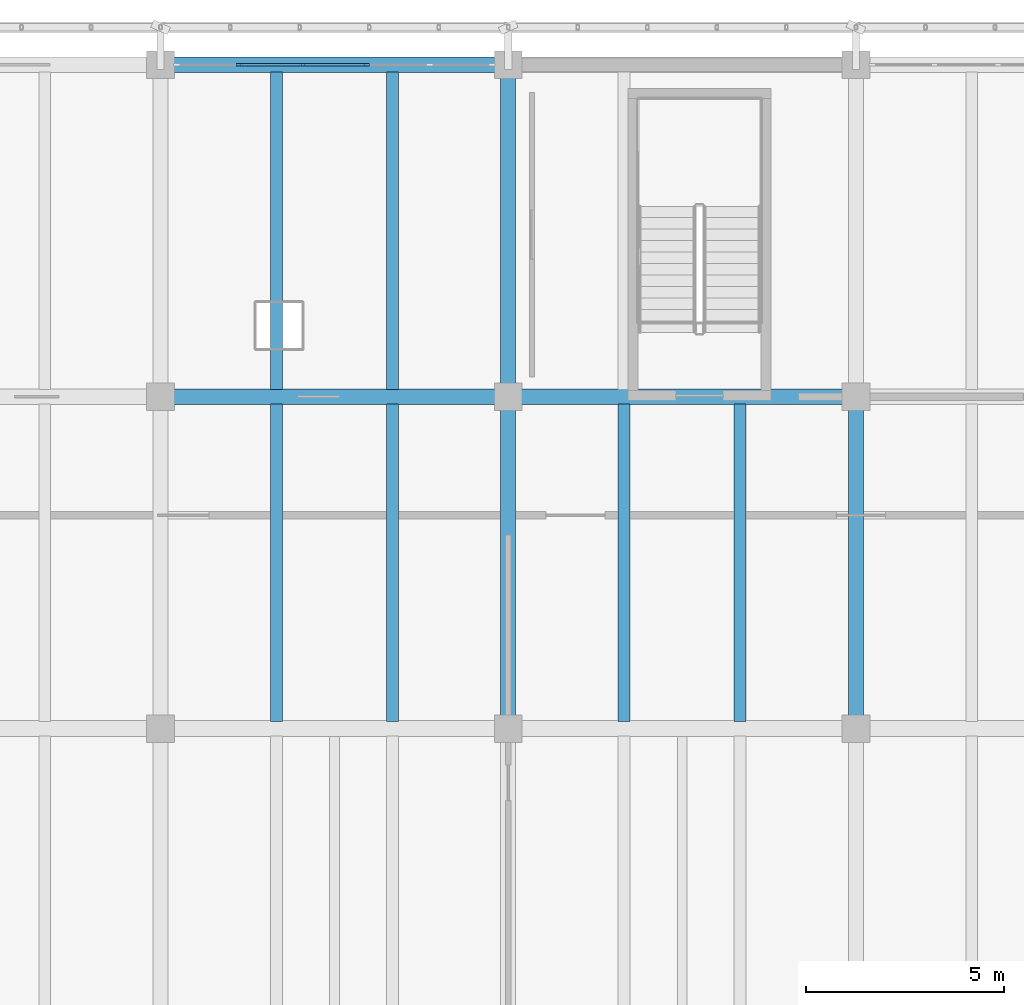
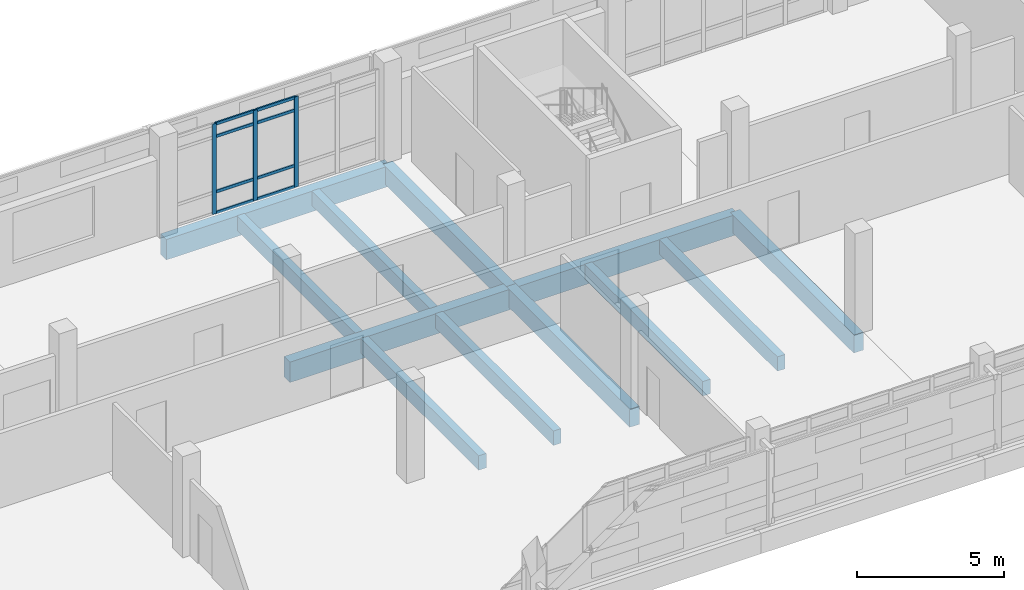
# One storey, part 72 of 137: 12 beams, 11 members, 1 element without a shape of its own.
"""IFC4 building model written with IfcOpenShell, lengths in metres."""

from ifc_helpers import new_model, si_unit, direction, frame, origin, origin_2d, place, context, subcontext, project, spatial, rectangle, extrude, material, material_profile, profile_set, type_object, element, aggregate, save


model = new_model("IFC4")

# Units and contexts
model_context = context("Model", 3, precision=1e-05, world=origin(), true_north=direction((0.0, 1.0)))
body_context = subcontext(model_context, "Body", "Model", "MODEL_VIEW")
ifc_project = project(units=[si_unit("LENGTHUNIT", "METRE"), si_unit("AREAUNIT", "SQUARE_METRE"), si_unit("VOLUMEUNIT", "CUBIC_METRE"), si_unit("PLANEANGLEUNIT", "RADIAN"), si_unit("MASSUNIT", "GRAM", prefix="KILO")], contexts=[model_context])

# Site, building, storey
site_placement = place(None, origin())
site = spatial("IfcSite", under=ifc_project, at=site_placement, CompositionType="ELEMENT")
building_placement = place(site_placement, origin())
building = spatial("IfcBuilding", under=site, at=building_placement, Name="Cinderway Yard Community Centre", CompositionType="ELEMENT")
storey_placement = place(building_placement, frame((0.0, 0.0, 4.800048828125)))
storey = spatial("IfcBuildingStorey", under=building, at=storey_placement, Name="L01", CompositionType="ELEMENT", Elevation=4.800048828125)

# Curtain wall, members
ifc_material_1 = material(Name="Aluminium 6063-T6", Category="aluminium")
curtain_wall_type = type_object("IfcCurtainWallType", Name="ENV-CW-TYPE-27", PredefinedType="USERDEFINED", material=ifc_material_1)
curtain_wall_placement = place(storey_placement, origin())
curtain_wall = element("IfcCurtainWall", 1, at=curtain_wall_placement, inside=storey, type_object=curtain_wall_type, Name="V4 Street Curtain Wall ENV-CW-L01-ST-0132", ObjectType="GLAZED CURTAIN WALL", PredefinedType="USERDEFINED")
ifc_material_profile_1 = material_profile(ifc_material_1, rectangle(XDim=0.06005859375, YDim=0.159912109375, at=origin_2d()), Name="Aluminium 6063-T6")
ifc_profile_set_1 = profile_set([ifc_material_profile_1], Name="Aluminium 6063-T6")
member_type_1 = type_object("IfcMemberType", Name="ENV-CW-MULL-150", PredefinedType="MULLION", material=ifc_profile_set_1)
member_1_placement = place(storey_placement, frame((103.587890625, 115.199951171875, 0.0), z_axis=(0.0, 0.0, 1.0), x_axis=(0.0, 1.0, 0.0)))
member_1 = element("IfcMember", 2, at=member_1_placement, type_object=member_type_1, Name="CW-27 mullion 2", PredefinedType="MULLION", context=body_context, shape_type="SweptSolid", body=[
    extrude(rectangle(XDim=0.06005859375, YDim=0.159912109375, at=origin_2d()), origin(), (0.0, 0.0, 1.0), 3.75),
])
member_2_placement = place(storey_placement, frame((105.196044921875, 115.199951171875, 0.0), z_axis=(0.0, 0.0, 1.0), x_axis=(0.0, 1.0, 0.0)))
member_2 = element("IfcMember", 3, at=member_2_placement, type_object=member_type_1, Name="CW-27 mullion 3", PredefinedType="MULLION", context=body_context, shape_type="SweptSolid", body=[
    extrude(rectangle(XDim=0.06005859375, YDim=0.159912109375, at=origin_2d()), origin(), (0.0, 0.0, 1.0), 3.75),
])
member_3_placement = place(storey_placement, frame((106.803955078125, 115.199951171875, 0.0), z_axis=(0.0, 0.0, 1.0), x_axis=(0.0, 1.0, 0.0)))
member_3 = element("IfcMember", 4, at=member_3_placement, type_object=member_type_1, Name="CW-27 mullion 4", PredefinedType="MULLION", context=body_context, shape_type="SweptSolid", body=[
    extrude(rectangle(XDim=0.06005859375, YDim=0.159912109375, at=origin_2d()), origin(), (0.0, 0.0, 1.0), 3.75),
])
ifc_material_profile_2 = material_profile(ifc_material_1, rectangle(XDim=0.06005859375, YDim=0.1201171875, at=origin_2d()), Name="Aluminium 6063-T6")
ifc_profile_set_2 = profile_set([ifc_material_profile_2], Name="Aluminium 6063-T6")
member_type_2 = type_object("IfcMemberType", Name="ENV-CW-TRAN-110", PredefinedType="USERDEFINED", material=ifc_profile_set_2)
member_4_placement = place(storey_placement, frame((103.617919921875, 115.199951171875, 0.030029296875), z_axis=(1.0, 0.0, 0.0), x_axis=(0.0, 1.0, 0.0)))
member_4 = element("IfcMember", 5, at=member_4_placement, type_object=member_type_2, Name="CW-27 transom 2.1", ObjectType="TRANSOM", PredefinedType="USERDEFINED", context=body_context, shape_type="SweptSolid", body=[
    extrude(rectangle(XDim=0.06005859375, YDim=0.1201171875, at=origin_2d()), origin(), (0.0, 0.0, 1.0), 1.548095703125),
])
member_5_placement = place(storey_placement, frame((103.617919921875, 115.199951171875, 0.89990234375), z_axis=(1.0, 0.0, 0.0), x_axis=(0.0, 1.0, 0.0)))
member_5 = element("IfcMember", 6, at=member_5_placement, type_object=member_type_2, Name="CW-27 transom 2.2", ObjectType="TRANSOM", PredefinedType="USERDEFINED", context=body_context, shape_type="SweptSolid", body=[
    extrude(rectangle(XDim=0.06005859375, YDim=0.1201171875, at=origin_2d()), origin(), (0.0, 0.0, 1.0), 1.548095703125),
])
member_6_placement = place(storey_placement, frame((103.617919921875, 115.199951171875, 3.199951171875), z_axis=(1.0, 0.0, 0.0), x_axis=(0.0, 1.0, 0.0)))
member_6 = element("IfcMember", 7, at=member_6_placement, type_object=member_type_2, Name="CW-27 transom 2.3", ObjectType="TRANSOM", PredefinedType="USERDEFINED", context=body_context, shape_type="SweptSolid", body=[
    extrude(rectangle(XDim=0.06005859375, YDim=0.1201171875, at=origin_2d()), origin(), (0.0, 0.0, 1.0), 1.548095703125),
])
member_7_placement = place(storey_placement, frame((103.617919921875, 115.199951171875, 3.719970703125), z_axis=(1.0, 0.0, 0.0), x_axis=(0.0, 1.0, 0.0)))
member_7 = element("IfcMember", 8, at=member_7_placement, type_object=member_type_2, Name="CW-27 transom 2.4", ObjectType="TRANSOM", PredefinedType="USERDEFINED", context=body_context, shape_type="SweptSolid", body=[
    extrude(rectangle(XDim=0.06005859375, YDim=0.1201171875, at=origin_2d()), origin(), (0.0, 0.0, 1.0), 1.548095703125),
])
member_8_placement = place(storey_placement, frame((105.22607421875, 115.199951171875, 0.030029296875), z_axis=(1.0, 0.0, 0.0), x_axis=(0.0, 1.0, 0.0)))
member_8 = element("IfcMember", 9, at=member_8_placement, type_object=member_type_2, Name="CW-27 transom 3.1", ObjectType="TRANSOM", PredefinedType="USERDEFINED", context=body_context, shape_type="SweptSolid", body=[
    extrude(rectangle(XDim=0.06005859375, YDim=0.1201171875, at=origin_2d()), origin(), (0.0, 0.0, 1.0), 1.5478515625),
])
member_9_placement = place(storey_placement, frame((105.22607421875, 115.199951171875, 0.89990234375), z_axis=(1.0, 0.0, 0.0), x_axis=(0.0, 1.0, 0.0)))
member_9 = element("IfcMember", 10, at=member_9_placement, type_object=member_type_2, Name="CW-27 transom 3.2", ObjectType="TRANSOM", PredefinedType="USERDEFINED", context=body_context, shape_type="SweptSolid", body=[
    extrude(rectangle(XDim=0.06005859375, YDim=0.1201171875, at=origin_2d()), origin(), (0.0, 0.0, 1.0), 1.5478515625),
])
member_10_placement = place(storey_placement, frame((105.22607421875, 115.199951171875, 3.199951171875), z_axis=(1.0, 0.0, 0.0), x_axis=(0.0, 1.0, 0.0)))
member_10 = element("IfcMember", 11, at=member_10_placement, type_object=member_type_2, Name="CW-27 transom 3.3", ObjectType="TRANSOM", PredefinedType="USERDEFINED", context=body_context, shape_type="SweptSolid", body=[
    extrude(rectangle(XDim=0.06005859375, YDim=0.1201171875, at=origin_2d()), origin(), (0.0, 0.0, 1.0), 1.5478515625),
])
member_11_placement = place(storey_placement, frame((105.22607421875, 115.199951171875, 3.719970703125), z_axis=(1.0, 0.0, 0.0), x_axis=(0.0, 1.0, 0.0)))
member_11 = element("IfcMember", 12, at=member_11_placement, type_object=member_type_2, Name="CW-27 transom 3.4", ObjectType="TRANSOM", PredefinedType="USERDEFINED", context=body_context, shape_type="SweptSolid", body=[
    extrude(rectangle(XDim=0.06005859375, YDim=0.1201171875, at=origin_2d()), origin(), (0.0, 0.0, 1.0), 1.5478515625),
])
aggregate(curtain_wall, [member_1, member_2, member_3, member_4, member_5, member_6, member_7, member_8, member_9, member_10, member_11])

# Beams
ifc_material_2 = material(Name="Concrete C35/45", Category="concrete")
ifc_material_profile_3 = material_profile(ifc_material_2, rectangle(XDim=0.300048828125, YDim=0.60009765625, at=origin_2d()), Name="Concrete C35/45")
ifc_profile_set_3 = profile_set([ifc_material_profile_3], Name="Concrete C35/45")
beam_type_1 = type_object("IfcBeamType", Name="STR-BM-RC300X600", PredefinedType="JOIST", material=ifc_profile_set_3)
for number, where, z_axis, x_axis, name in (
    (13, (104.532958984375, 98.58203125, -0.56005859375), (0.0, 1.0, 0.0), (-1.0, 0.0, 0.0), "Secondary joist STR-BM-L01-BJ02-0299"),
    (14, (107.467041015625, 98.58203125, -0.56005859375), (0.0, 1.0, 0.0), (-1.0, 0.0, 0.0), "Secondary joist STR-BM-L01-BJ02-0300"),
):
    element("IfcBeam", number, at=place(storey_placement, frame(where, z_axis=z_axis, x_axis=x_axis)), inside=storey, type_object=beam_type_1, Name=name, PredefinedType="JOIST", context=body_context, shape_type="SweptSolid", body=[
        extrude(rectangle(XDim=0.300048828125, YDim=0.60009765625, at=origin_2d()), origin(), (0.0, 0.0, 1.0), 8.035888671875),
    ])
for number, where, z_axis, x_axis, name in (
    (15, (104.532958984375, 106.98193359375, -0.56005859375), (0.0, 1.0, 0.0), (-1.0, 0.0, 0.0), "Secondary joist STR-BM-L01-BJ02-0301"),
    (16, (107.467041015625, 106.98193359375, -0.56005859375), (0.0, 1.0, 0.0), (-1.0, 0.0, 0.0), "Secondary joist STR-BM-L01-BJ02-0302"),
):
    element("IfcBeam", number, at=place(storey_placement, frame(where, z_axis=z_axis, x_axis=x_axis)), inside=storey, type_object=beam_type_1, Name=name, PredefinedType="JOIST", context=body_context, shape_type="SweptSolid", body=[
        extrude(rectangle(XDim=0.300048828125, YDim=0.60009765625, at=origin_2d()), origin(), (0.0, 0.0, 1.0), 8.0361328125),
    ])
for number, where, z_axis, x_axis, name in (
    (17, (113.3330078125, 98.58203125, -0.56005859375), (0.0, 1.0, 0.0), (-1.0, 0.0, 0.0), "Secondary joist STR-BM-L01-BJ02-0305"),
    (18, (116.26708984375, 98.58203125, -0.56005859375), (0.0, 1.0, 0.0), (-1.0, 0.0, 0.0), "Secondary joist STR-BM-L01-BJ02-0306"),
):
    element("IfcBeam", number, at=place(storey_placement, frame(where, z_axis=z_axis, x_axis=x_axis)), inside=storey, type_object=beam_type_1, Name=name, PredefinedType="JOIST", context=body_context, shape_type="SweptSolid", body=[
        extrude(rectangle(XDim=0.300048828125, YDim=0.60009765625, at=origin_2d()), origin(), (0.0, 0.0, 1.0), 8.035888671875),
    ])
ifc_material_profile_4 = material_profile(ifc_material_2, rectangle(XDim=0.3798828125, YDim=0.75, at=origin_2d()), Name="Concrete C35/45")
ifc_profile_set_4 = profile_set([ifc_material_profile_4], Name="Concrete C35/45")
beam_type_2 = type_object("IfcBeamType", Name="STR-BM-RC380X750", PredefinedType="BEAM", material=ifc_profile_set_4)
beam_1_placement = place(storey_placement, frame((110.39990234375, 98.39990234375, -0.635009765625), z_axis=(0.0, 1.0, 0.0), x_axis=(-1.0, 0.0, 0.0)))
element("IfcBeam", 19, at=beam_1_placement, inside=storey, type_object=beam_type_2, Name="Transverse girder STR-BM-L01-BG06-0245", PredefinedType="BEAM", context=body_context, shape_type="SweptSolid", body=[
    extrude(rectangle(XDim=0.3798828125, YDim=0.75, at=origin_2d()), origin(), (0.0, 0.0, 1.0), 8.400146484375),
])
beam_2_placement = place(storey_placement, frame((110.39990234375, 106.800048828125, -0.635009765625), z_axis=(0.0, 1.0, 0.0), x_axis=(-1.0, 0.0, 0.0)))
element("IfcBeam", 20, at=beam_2_placement, inside=storey, type_object=beam_type_2, Name="Transverse girder STR-BM-L01-BG06-0246", PredefinedType="BEAM", context=body_context, shape_type="SweptSolid", body=[
    extrude(rectangle(XDim=0.3798828125, YDim=0.75, at=origin_2d()), origin(), (0.0, 0.0, 1.0), 8.39990234375),
])
beam_3_placement = place(storey_placement, frame((119.199951171875, 98.39990234375, -0.635009765625), z_axis=(0.0, 1.0, 0.0), x_axis=(-1.0, 0.0, 0.0)))
element("IfcBeam", 21, at=beam_3_placement, inside=storey, type_object=beam_type_2, Name="Transverse girder STR-BM-L01-BG06-0248", PredefinedType="BEAM", context=body_context, shape_type="SweptSolid", body=[
    extrude(rectangle(XDim=0.3798828125, YDim=0.75, at=origin_2d()), origin(), (0.0, 0.0, 1.0), 8.400146484375),
])
ifc_material_3 = material(Name="Concrete C40/50", Category="concrete")
ifc_material_profile_5 = material_profile(ifc_material_3, rectangle(XDim=0.39990234375, YDim=0.85009765625, at=origin_2d()), Name="Concrete C40/50")
ifc_profile_set_5 = profile_set([ifc_material_profile_5], Name="Concrete C40/50")
beam_type_3 = type_object("IfcBeamType", Name="STR-BM-RC400X850", PredefinedType="BEAM", material=ifc_profile_set_5)
beam_4_placement = place(storey_placement, frame((101.60009765625, 106.800048828125, -0.68505859375), z_axis=(1.0, 0.0, 0.0), x_axis=(0.0, 1.0, 0.0)))
element("IfcBeam", 22, at=beam_4_placement, inside=storey, type_object=beam_type_3, Name="Primary girder STR-BM-L01-BG04-0203", PredefinedType="BEAM", context=body_context, shape_type="SweptSolid", body=[
    extrude(rectangle(XDim=0.39990234375, YDim=0.85009765625, at=origin_2d()), origin(), (0.0, 0.0, 1.0), 8.7998046875),
])
beam_5_placement = place(storey_placement, frame((110.39990234375, 106.800048828125, -0.68505859375), z_axis=(1.0, 0.0, 0.0), x_axis=(0.0, 1.0, 0.0)))
element("IfcBeam", 23, at=beam_5_placement, inside=storey, type_object=beam_type_3, Name="Primary girder STR-BM-L01-BG04-0204", PredefinedType="BEAM", context=body_context, shape_type="SweptSolid", body=[
    extrude(rectangle(XDim=0.39990234375, YDim=0.85009765625, at=origin_2d()), origin(), (0.0, 0.0, 1.0), 8.800048828125),
])
beam_6_placement = place(storey_placement, frame((101.60009765625, 115.199951171875, -0.68505859375), z_axis=(1.0, 0.0, 0.0), x_axis=(0.0, 1.0, 0.0)))
element("IfcBeam", 24, at=beam_6_placement, inside=storey, type_object=beam_type_3, Name="Primary girder STR-BM-L01-BG04-0215", PredefinedType="BEAM", context=body_context, shape_type="SweptSolid", body=[
    extrude(rectangle(XDim=0.39990234375, YDim=0.85009765625, at=origin_2d()), origin(), (0.0, 0.0, 1.0), 8.7998046875),
])

save(model, "model.ifc")
